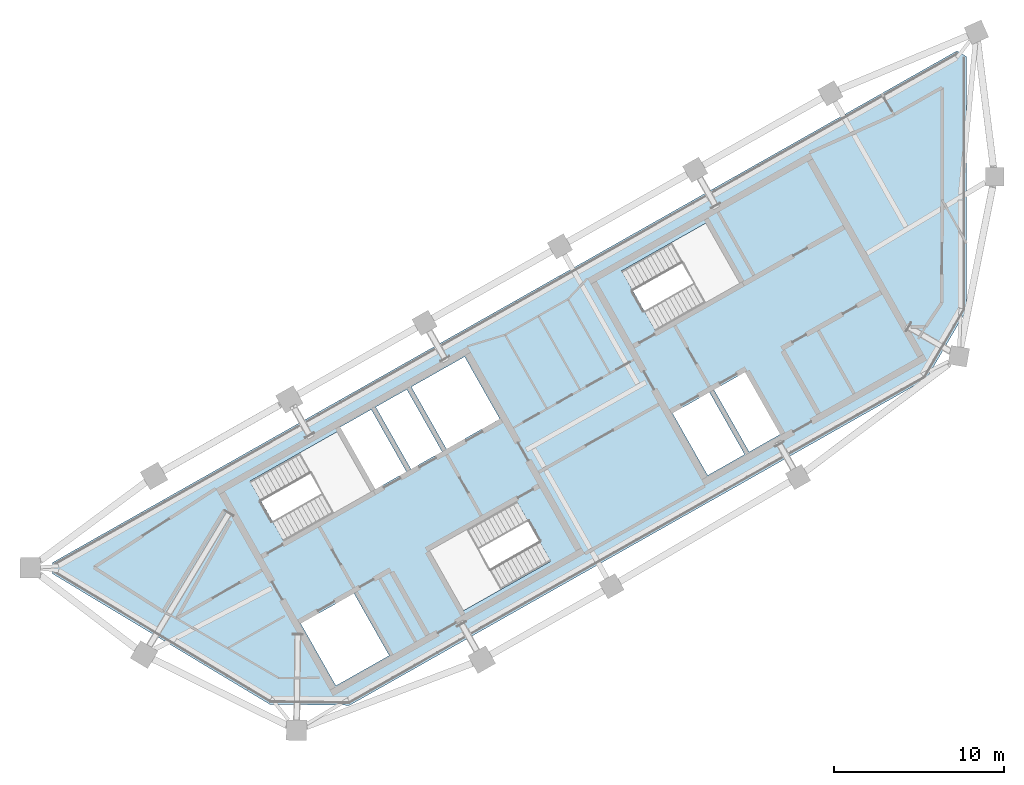
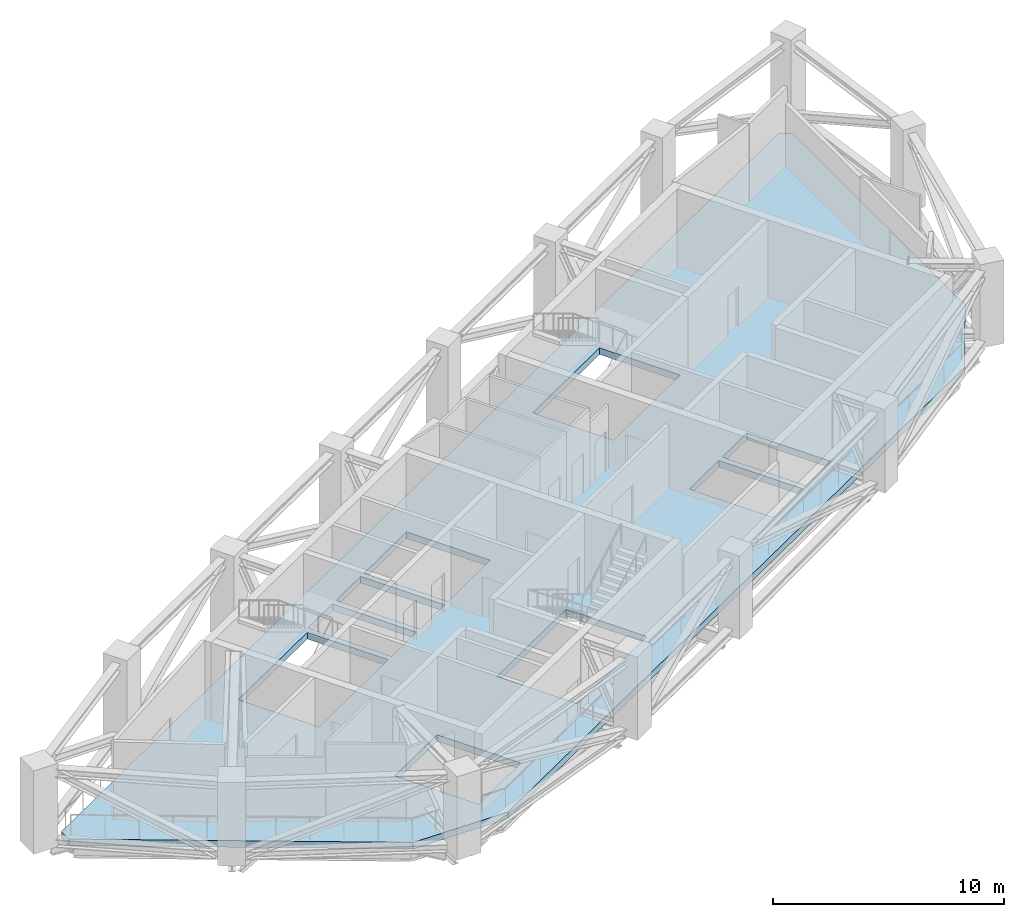
# One storey, part 4 of 10: 1 slab.
"""IFC4 building model written with IfcOpenShell, lengths in metres."""

from ifc_helpers import new_model, si_unit, direction, frame, origin, place, context, subcontext, project, spatial, polyline, outline, extrude, material, layer, layer_set, type_object, element, save


model = new_model("IFC4")

# Units and contexts
model_context = context("Model", 3, precision=1e-05, world=origin(), true_north=direction((0.0, 1.0)))
body_context = subcontext(model_context, "Body", "Model", "MODEL_VIEW")
ifc_project = project(units=[si_unit("LENGTHUNIT", "METRE"), si_unit("AREAUNIT", "SQUARE_METRE"), si_unit("VOLUMEUNIT", "CUBIC_METRE"), si_unit("PLANEANGLEUNIT", "RADIAN"), si_unit("MASSUNIT", "GRAM", prefix="KILO")], contexts=[model_context])

# Site, building, storey
site_placement = place(None, origin())
site = spatial("IfcSite", under=ifc_project, at=site_placement, CompositionType="ELEMENT")
building_placement = place(site_placement, origin())
building = spatial("IfcBuilding", under=site, at=building_placement, Name="Binnacle Exchange Tower", CompositionType="ELEMENT")
storey_placement = place(building_placement, frame((0.0, 0.0, 312.10009765625)))
storey = spatial("IfcBuildingStorey", under=building, at=storey_placement, Name="L70", CompositionType="ELEMENT", Elevation=312.10009765625)

# Slab
ifc_material = material(Name="Concrete C35/45", Category="concrete")
ifc_layer = layer(ifc_material, 0.35009765625)
ifc_layer_set = layer_set([ifc_layer], Name="Floor slab 350 Concrete C35/45")
slab_type = type_object("IfcSlabType", Name="Floor slab 350 Concrete C35/45", PredefinedType="FLOOR", material=ifc_layer_set)
slab_placement = place(storey_placement, frame((0.0, 0.0, -0.35009765625)))
element("IfcSlab", 1, at=slab_placement, inside=storey, type_object=slab_type, Name="S:SL:L70:01", PredefinedType="FLOOR", context=body_context, shape_type="SweptSolid", body=[
    extrude(outline(polyline([(-38.74072265625, 28.953857421875), (-43.435791015625, 29.015380859375), (-56.197509765625, 36.683349609375), (-56.188720703125, 37.33740234375), (-3.065185546875, 67.3935546875), (-2.5, 67.06396484375), (-2.5, 52.17578125), (-4.865478515625, 48.11962890625), (-38.74072265625, 28.953857421875)]), holes=[polyline([(-38.4794921875, 35.529296875), (-41.61279296875, 33.756591796875), (-39.544677734375, 30.10107421875), (-36.411376953125, 31.873779296875), (-38.4794921875, 35.529296875)]), polyline([(-32.04638671875, 34.515625), (-26.9287109375, 37.4111328125), (-28.923095703125, 40.93603515625), (-34.040771484375, 38.04052734375), (-32.04638671875, 34.515625)]), polyline([(-39.480712890625, 45.01611328125), (-44.598388671875, 42.12060546875), (-42.604248046875, 38.595703125), (-37.486572265625, 41.4912109375), (-39.480712890625, 45.01611328125)]), polyline([(-37.4658203125, 46.32861328125), (-39.293701171875, 45.29443359375), (-37.225341796875, 41.638916015625), (-35.397705078125, 42.673095703125), (-37.4658203125, 46.32861328125)]), polyline([(-17.598876953125, 47.343017578125), (-19.77490234375, 46.11181640625), (-17.70654296875, 42.456298828125), (-15.53076171875, 43.6875), (-17.598876953125, 47.343017578125)]), polyline([(-35.376953125, 47.51025390625), (-37.20458984375, 46.476318359375), (-35.136474609375, 42.82080078125), (-33.308837890625, 43.854736328125), (-35.376953125, 47.51025390625)]), polyline([(-15.510009765625, 48.52490234375), (-17.337890625, 47.49072265625), (-15.26953125, 43.835205078125), (-13.44189453125, 44.869384765625), (-15.510009765625, 48.52490234375)]), polyline([(-29.914306640625, 45.775390625), (-31.982666015625, 49.430908203125), (-35.115966796875, 47.657958984375), (-33.047607421875, 44.00244140625), (-29.914306640625, 45.775390625)]), polyline([(-15.822509765625, 53.748046875), (-17.81689453125, 57.27294921875), (-22.760498046875, 54.47607421875), (-20.76611328125, 50.950927734375), (-15.822509765625, 53.748046875)])]), origin(), (0.0, 0.0, 1.0), 0.35009765625),
])

save(model, "model.ifc")
